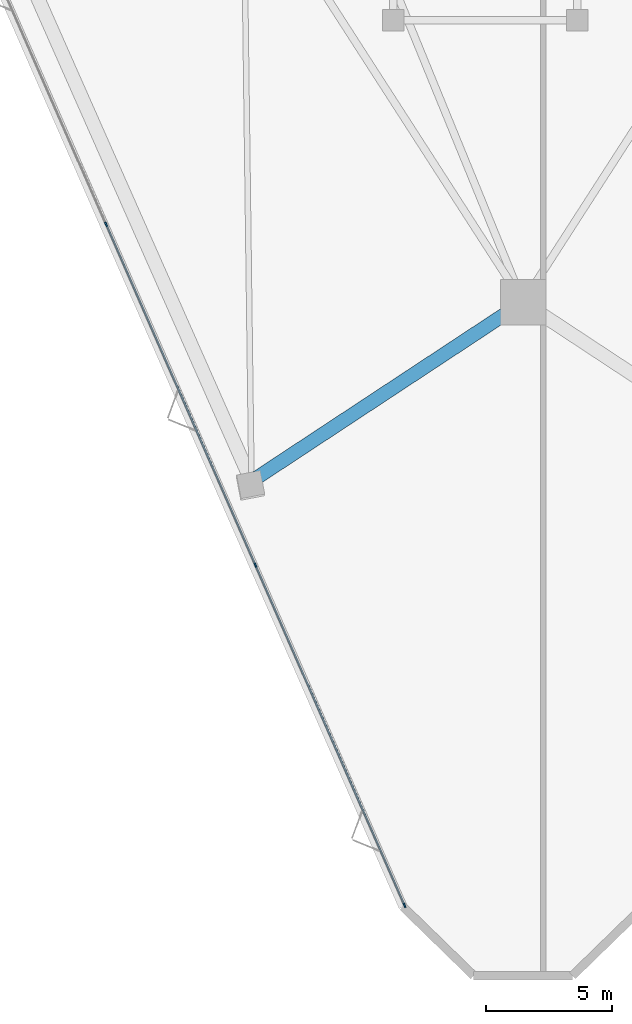
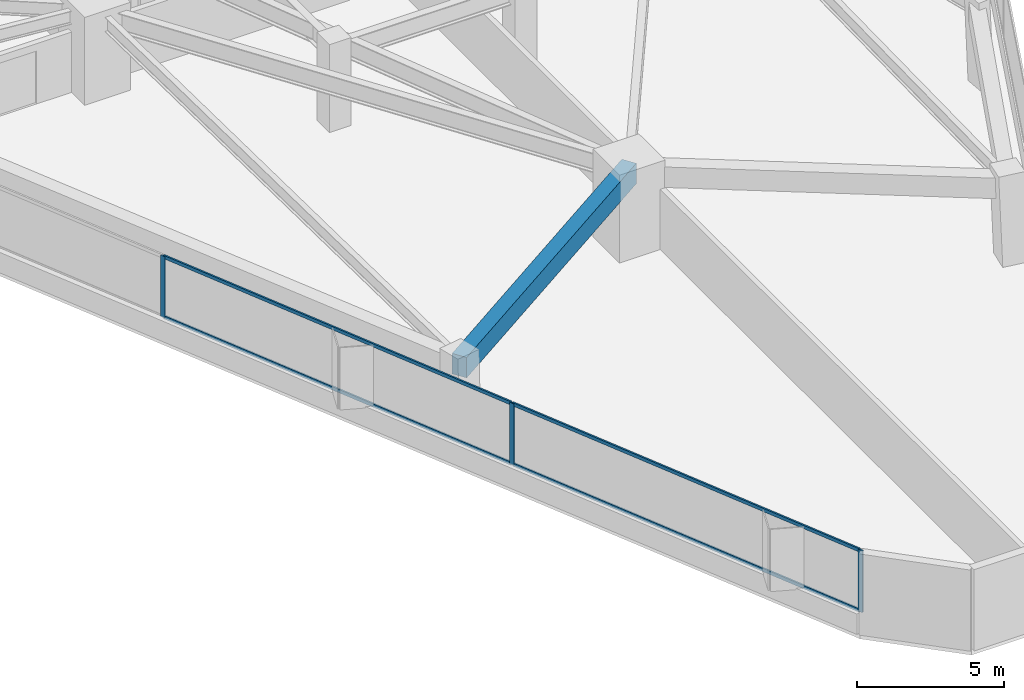
# One storey, part 2 of 20: 7 members, 1 beam, 1 element without a shape of its own.
"""IFC4 building model written with IfcOpenShell, lengths in metres."""

from ifc_helpers import new_model, si_unit, direction, frame, origin, origin_2d, place, context, subcontext, project, spatial, rectangle, extrude, material, layer, layer_set, material_profile, profile_set, type_object, element, aggregate, save


model = new_model("IFC4")

# Units and contexts
model_context = context("Model", 3, precision=1e-05, world=origin(), true_north=direction((0.0, 1.0)))
body_context = subcontext(model_context, "Body", "Model", "MODEL_VIEW")
ifc_project = project(units=[si_unit("LENGTHUNIT", "METRE"), si_unit("AREAUNIT", "SQUARE_METRE"), si_unit("VOLUMEUNIT", "CUBIC_METRE"), si_unit("PLANEANGLEUNIT", "RADIAN"), si_unit("MASSUNIT", "GRAM", prefix="KILO")], contexts=[model_context])

# Site, building, storey
site_placement = place(None, origin())
site = spatial("IfcSite", under=ifc_project, at=site_placement, CompositionType="ELEMENT")
building_placement = place(site_placement, origin())
building = spatial("IfcBuilding", under=site, at=building_placement, Name="Talyreon Biosciences Tower", CompositionType="ELEMENT")
storey_placement = place(building_placement, frame((0.0, 0.0, 26.449951171875)))
storey = spatial("IfcBuildingStorey", under=building, at=storey_placement, Name="L06", CompositionType="ELEMENT", Elevation=26.449951171875)

# Curtain wall, members
ifc_material_1 = material(Name="Thermally broken aluminium and low-E glazing", Category="aluminium")
ifc_layer = layer(ifc_material_1, 0.195068359375)
ifc_layer_set = layer_set([ifc_layer], Name="Thermally broken aluminium and low-E glazing")
curtain_wall_type = type_object("IfcCurtainWallType", Name="CurtainWall_Zone1WetLab", PredefinedType="NOTDEFINED", material=ifc_layer_set)
curtain_wall_placement = place(storey_placement, origin())
curtain_wall = element("IfcCurtainWall", 1, at=curtain_wall_placement, inside=storey, type_object=curtain_wall_type, Name="L06 Unitised Curtain Wall FCW-L06-00", PredefinedType="NOTDEFINED")
ifc_material_2 = material(Name="Anodised thermally broken aluminium", Category="aluminium")
ifc_material_profile_1 = material_profile(ifc_material_2, rectangle(XDim=0.06494140625, YDim=0.179931640625, at=origin_2d()), Name="ALUM MULLION 65x180")
ifc_profile_set_1 = profile_set([ifc_material_profile_1], Name="Anodised thermally broken aluminium")
member_type_1 = type_object("IfcMemberType", Name="CWMullion_65x180", PredefinedType="MULLION", material=ifc_profile_set_1)
member_1_placement = place(storey_placement, frame((61.29736328125, 17.751220703125, 0.81005859375), z_axis=(0.0, 0.0, 1.0), x_axis=(-0.915926900592, -0.401345129249, 0.0)))
member_1 = element("IfcMember", 2, at=member_1_placement, type_object=member_type_1, Name="CW2 mullion 1", PredefinedType="MULLION", context=body_context, shape_type="SweptSolid", body=[
    extrude(rectangle(XDim=0.06494140625, YDim=0.179931640625, at=origin_2d()), origin(), (0.0, 0.0, 1.0), 2.56494140625),
])
member_2_placement = place(storey_placement, frame((55.38818359375, 31.237060546875, 0.81005859375), z_axis=(0.0, 0.0, 1.0), x_axis=(-0.915926900592, -0.401345129249, 0.0)))
member_2 = element("IfcMember", 3, at=member_2_placement, type_object=member_type_1, Name="CW2 mullion 2", PredefinedType="MULLION", context=body_context, shape_type="SweptSolid", body=[
    extrude(rectangle(XDim=0.06494140625, YDim=0.179931640625, at=origin_2d()), origin(), (0.0, 0.0, 1.0), 2.56494140625),
])
member_3_placement = place(storey_placement, frame((49.4658203125, 44.752685546875, 0.81005859375), z_axis=(0.0, 0.0, 1.0), x_axis=(-0.915926900592, -0.401345129249, 0.0)))
member_3 = element("IfcMember", 4, at=member_3_placement, type_object=member_type_1, Name="CW2 mullion 3", PredefinedType="MULLION", context=body_context, shape_type="SweptSolid", body=[
    extrude(rectangle(XDim=0.06494140625, YDim=0.179931640625, at=origin_2d()), origin(), (0.0, 0.0, 1.0), 2.56494140625),
])
ifc_material_profile_2 = material_profile(ifc_material_2, rectangle(XDim=0.06494140625, YDim=0.139892578125, at=origin_2d()), Name="ALUM TRANSOM 65x140")
ifc_profile_set_2 = profile_set([ifc_material_profile_2], Name="Anodised thermally broken aluminium")
member_type_2 = type_object("IfcMemberType", Name="CWTransom_65x140", PredefinedType="USERDEFINED", material=ifc_profile_set_2)
member_4_placement = place(storey_placement, frame((61.284423828125, 17.781005859375, 0.842529296875), z_axis=(-0.401351725582, 0.915924010152, 0.0), x_axis=(-0.915924010152, -0.401351725582, 0.0)))
member_4 = element("IfcMember", 5, at=member_4_placement, type_object=member_type_2, Name="CW2 transom 1.1", ObjectType="TRANSOM", PredefinedType="USERDEFINED", context=body_context, shape_type="SweptSolid", body=[
    extrude(rectangle(XDim=0.06494140625, YDim=0.139892578125, at=origin_2d()), origin(), (0.0, 0.0, 1.0), 14.65869140625),
])
member_5_placement = place(storey_placement, frame((61.284423828125, 17.781005859375, 3.342529296875), z_axis=(-0.401351725582, 0.915924010152, 0.0), x_axis=(-0.915924010152, -0.401351725582, 0.0)))
member_5 = element("IfcMember", 6, at=member_5_placement, type_object=member_type_2, Name="CW2 transom 1.2", ObjectType="TRANSOM", PredefinedType="USERDEFINED", context=body_context, shape_type="SweptSolid", body=[
    extrude(rectangle(XDim=0.06494140625, YDim=0.139892578125, at=origin_2d()), origin(), (0.0, 0.0, 1.0), 14.65869140625),
])
member_6_placement = place(storey_placement, frame((55.375244140625, 31.266845703125, 0.842529296875), z_axis=(-0.401345318485, 0.915926817672, 0.0), x_axis=(-0.915926817672, -0.401345318485, 0.0)))
member_6 = element("IfcMember", 7, at=member_6_placement, type_object=member_type_2, Name="CW2 transom 2.1", ObjectType="TRANSOM", PredefinedType="USERDEFINED", context=body_context, shape_type="SweptSolid", body=[
    extrude(rectangle(XDim=0.06494140625, YDim=0.139892578125, at=origin_2d()), origin(), (0.0, 0.0, 1.0), 14.691162109375),
])
member_7_placement = place(storey_placement, frame((55.375244140625, 31.266845703125, 3.342529296875), z_axis=(-0.401345318485, 0.915926817672, 0.0), x_axis=(-0.915926817672, -0.401345318485, 0.0)))
member_7 = element("IfcMember", 8, at=member_7_placement, type_object=member_type_2, Name="CW2 transom 2.2", ObjectType="TRANSOM", PredefinedType="USERDEFINED", context=body_context, shape_type="SweptSolid", body=[
    extrude(rectangle(XDim=0.06494140625, YDim=0.139892578125, at=origin_2d()), origin(), (0.0, 0.0, 1.0), 14.691162109375),
])
aggregate(curtain_wall, [member_1, member_2, member_3, member_4, member_5, member_6, member_7])

# Beam
ifc_material_3 = material(Name="Precast concrete C45/55", Category="concrete")
ifc_material_profile_3 = material_profile(ifc_material_3, rectangle(XDim=0.550048828125, YDim=0.85009765625, at=origin_2d()), Name="RCB 550x850")
ifc_profile_set_3 = profile_set([ifc_material_profile_3], Name="Precast concrete C45/55")
beam_type = type_object("IfcBeamType", Name="ExpressedSpandrel_550x850", PredefinedType="SPANDREL", material=ifc_profile_set_3)
beam_placement = place(storey_placement, frame((55.22900390625, 34.568359375, 2.949951171875), z_axis=(0.834973620359, 0.550289972019, 0.0), x_axis=(-0.550289972019, 0.834973620359, 0.0)))
element("IfcBeam", 9, at=beam_placement, inside=storey, type_object=beam_type, Name="L06 Expressed Horizontal Concrete Spandrel 12", PredefinedType="SPANDREL", context=body_context, shape_type="SweptSolid", body=[
    extrude(rectangle(XDim=0.550048828125, YDim=0.85009765625, at=origin_2d()), origin(), (0.0, 0.0, 1.0), 12.89990234375),
])

save(model, "model.ifc")
